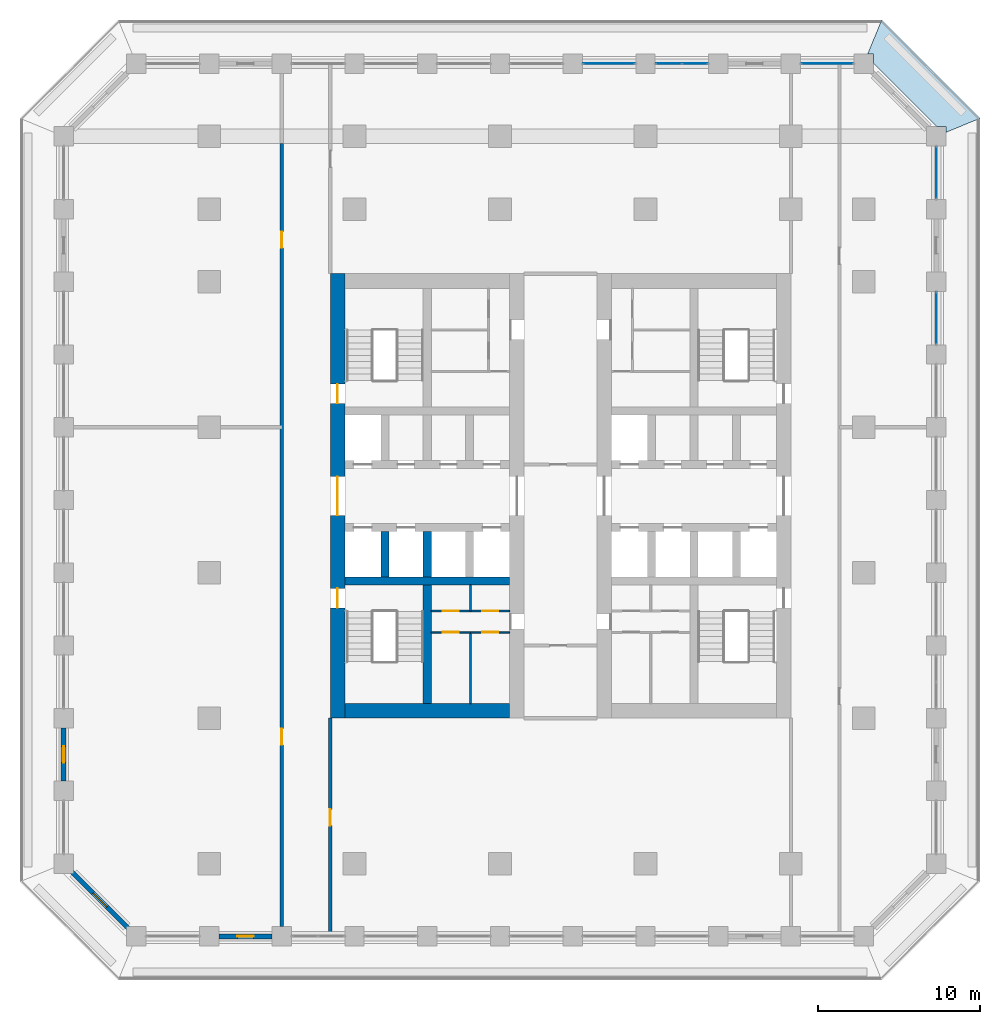
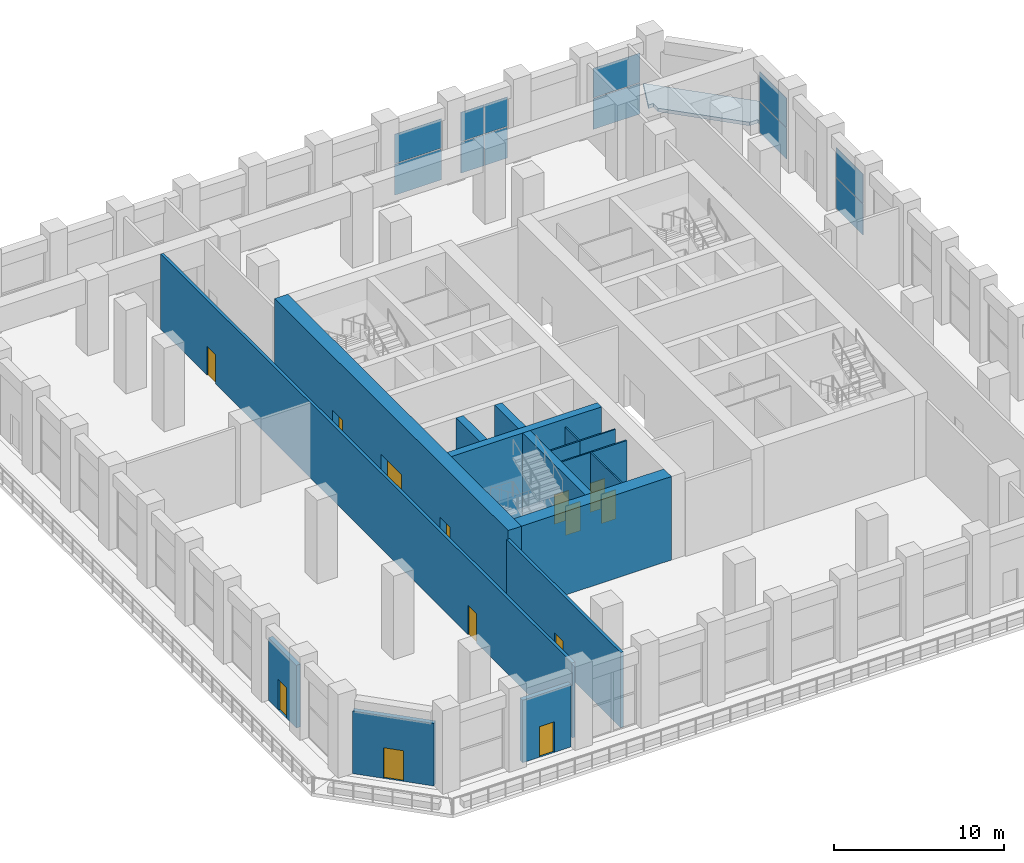
# One storey, part 12 of 24: 17 walls, 13 doors, 12 plates, 1 slab, 13 openings, 5 elements without a shape of their own.
"""IFC4 building model written with IfcOpenShell, lengths in metres."""

from ifc_helpers import new_model, si_unit, direction, frame, frame_2d, origin, origin_2d, place, context, subcontext, project, spatial, polyline, rectangle, outline, extrude, material, layer, layer_set, type_object, element, fill, aggregate, save


model = new_model("IFC4")

# Units and contexts
model_context = context("Model", 3, precision=1e-05, world=origin(), true_north=direction((0.0, 1.0)))
body_context = subcontext(model_context, "Body", "Model", "MODEL_VIEW")
ifc_project = project(units=[si_unit("LENGTHUNIT", "METRE"), si_unit("AREAUNIT", "SQUARE_METRE"), si_unit("VOLUMEUNIT", "CUBIC_METRE"), si_unit("PLANEANGLEUNIT", "RADIAN"), si_unit("MASSUNIT", "GRAM", prefix="KILO")], contexts=[model_context])

# Site, building, storey
site_placement = place(None, origin())
site = spatial("IfcSite", under=ifc_project, at=site_placement, CompositionType="ELEMENT")
building_placement = place(site_placement, origin())
building = spatial("IfcBuilding", under=site, at=building_placement, Name="Corbel Stack Research Tower", CompositionType="ELEMENT")
storey_placement = place(building_placement, frame((0.0, 0.0, 145.39990234375)))
storey = spatial("IfcBuildingStorey", under=building, at=storey_placement, Name="L33", CompositionType="ELEMENT", Elevation=145.39990234375)

# Curtain wall, plates
ifc_material_1 = material(Name="Aluminium frame, clear glass", Category="aluminium")
curtain_wall_type = type_object("IfcCurtainWallType", Name="Amenity floor curtain wall CW2", PredefinedType="NOTDEFINED", material=ifc_material_1)
curtain_wall_1_placement = place(storey_placement, origin())
curtain_wall_1 = element("IfcCurtainWall", 1, at=curtain_wall_1_placement, inside=storey, type_object=curtain_wall_type, Name="Curtain wall CW2 L33 E08", PredefinedType="NOTDEFINED")
ifc_material_2 = material(Name="Clear glass", Category="glass")
ifc_layer_1 = layer(ifc_material_2, 0.028076171875)
ifc_layer_set_1 = layer_set([ifc_layer_1], Name="Clear glass")
plate_type = type_object("IfcPlateType", Name="Clear glazing 28", PredefinedType="CURTAIN_PANEL", material=ifc_layer_set_1)
plate_1_placement = place(storey_placement, frame((27.0, 15.75, 0.06005859375), z_axis=(0.0, 0.0, 1.0), x_axis=(0.0, 1.0, 0.0)))
plate_1 = element("IfcPlate", 2, at=plate_1_placement, type_object=plate_type, Name="CW2 L33 E08 panel 1.1", PredefinedType="CURTAIN_PANEL", context=body_context, shape_type="SweptSolid", body=[
    extrude(rectangle(XDim=3.179931640625, YDim=0.028076171875, at=origin_2d()), origin(), (0.0, 0.0, 1.0), 2.2099609375),
])
plate_2_placement = place(storey_placement, frame((27.0, 15.75, 2.330078125), z_axis=(0.0, 0.0, 1.0), x_axis=(0.0, 1.0, 0.0)))
plate_2 = element("IfcPlate", 3, at=plate_2_placement, type_object=plate_type, Name="CW2 L33 E08 panel 1.2", PredefinedType="CURTAIN_PANEL", context=body_context, shape_type="SweptSolid", body=[
    extrude(rectangle(XDim=3.179931640625, YDim=0.028076171875, at=origin_2d()), origin(), (0.0, 0.0, 1.0), 2.110107421875),
])
aggregate(curtain_wall_1, [plate_1, plate_2])

curtain_wall_2_placement = place(storey_placement, origin())
curtain_wall_2 = element("IfcCurtainWall", 4, at=curtain_wall_2_placement, inside=storey, type_object=curtain_wall_type, Name="Curtain wall CW2 L33 E10", PredefinedType="NOTDEFINED")
plate_3_placement = place(storey_placement, frame((27.0, 24.75, 0.06005859375), z_axis=(0.0, 0.0, 1.0), x_axis=(0.0, 1.0, 0.0)))
plate_3 = element("IfcPlate", 5, at=plate_3_placement, type_object=plate_type, Name="CW2 L33 E10 panel 1.1", PredefinedType="CURTAIN_PANEL", context=body_context, shape_type="SweptSolid", body=[
    extrude(rectangle(XDim=3.179931640625, YDim=0.028076171875, at=origin_2d()), origin(), (0.0, 0.0, 1.0), 2.2099609375),
])
plate_4_placement = place(storey_placement, frame((27.0, 24.75, 2.330078125), z_axis=(0.0, 0.0, 1.0), x_axis=(0.0, 1.0, 0.0)))
plate_4 = element("IfcPlate", 6, at=plate_4_placement, type_object=plate_type, Name="CW2 L33 E10 panel 1.2", PredefinedType="CURTAIN_PANEL", context=body_context, shape_type="SweptSolid", body=[
    extrude(rectangle(XDim=3.179931640625, YDim=0.028076171875, at=origin_2d()), origin(), (0.0, 0.0, 1.0), 2.110107421875),
])
aggregate(curtain_wall_2, [plate_3, plate_4])

curtain_wall_3_placement = place(storey_placement, origin())
curtain_wall_3 = element("IfcCurtainWall", 7, at=curtain_wall_3_placement, inside=storey, type_object=curtain_wall_type, Name="Curtain wall CW2 L33 N01", PredefinedType="NOTDEFINED")
plate_5_placement = place(storey_placement, frame((20.25, 31.5, 0.06005859375), z_axis=(0.0, 0.0, 1.0), x_axis=(-1.0, 0.0, 0.0)))
plate_5 = element("IfcPlate", 8, at=plate_5_placement, type_object=plate_type, Name="CW2 L33 N01 panel 1.1", PredefinedType="CURTAIN_PANEL", context=body_context, shape_type="SweptSolid", body=[
    extrude(rectangle(XDim=3.179931640625, YDim=0.028076171875, at=origin_2d()), origin(), (0.0, 0.0, 1.0), 2.2099609375),
])
plate_6_placement = place(storey_placement, frame((20.25, 31.5, 2.330078125), z_axis=(0.0, 0.0, 1.0), x_axis=(-1.0, 0.0, 0.0)))
plate_6 = element("IfcPlate", 9, at=plate_6_placement, type_object=plate_type, Name="CW2 L33 N01 panel 1.2", PredefinedType="CURTAIN_PANEL", context=body_context, shape_type="SweptSolid", body=[
    extrude(rectangle(XDim=3.179931640625, YDim=0.028076171875, at=origin_2d()), origin(), (0.0, 0.0, 1.0), 2.110107421875),
])
aggregate(curtain_wall_3, [plate_5, plate_6])

curtain_wall_4_placement = place(storey_placement, origin())
curtain_wall_4 = element("IfcCurtainWall", 10, at=curtain_wall_4_placement, inside=storey, type_object=curtain_wall_type, Name="Curtain wall CW2 L33 N03", PredefinedType="NOTDEFINED")
plate_7_placement = place(storey_placement, frame((12.06005859375, 31.5, 0.06005859375), z_axis=(0.0, 0.0, 1.0), x_axis=(-1.0, 0.0, 0.0)))
plate_7 = element("IfcPlate", 11, at=plate_7_placement, type_object=plate_type, Name="CW2 L33 N03 panel 1.1", PredefinedType="CURTAIN_PANEL", context=body_context, shape_type="SweptSolid", body=[
    extrude(rectangle(XDim=1.56005859375, YDim=0.028076171875, at=origin_2d()), origin(), (0.0, 0.0, 1.0), 2.2099609375),
])
plate_8_placement = place(storey_placement, frame((12.06005859375, 31.5, 2.330078125), z_axis=(0.0, 0.0, 1.0), x_axis=(-1.0, 0.0, 0.0)))
plate_8 = element("IfcPlate", 12, at=plate_8_placement, type_object=plate_type, Name="CW2 L33 N03 panel 1.2", PredefinedType="CURTAIN_PANEL", context=body_context, shape_type="SweptSolid", body=[
    extrude(rectangle(XDim=1.56005859375, YDim=0.028076171875, at=origin_2d()), origin(), (0.0, 0.0, 1.0), 2.110107421875),
])
plate_9_placement = place(storey_placement, frame((10.43994140625, 31.5, 0.06005859375), z_axis=(0.0, 0.0, 1.0), x_axis=(-1.0, 0.0, 0.0)))
plate_9 = element("IfcPlate", 13, at=plate_9_placement, type_object=plate_type, Name="CW2 L33 N03 panel 2.1", PredefinedType="CURTAIN_PANEL", context=body_context, shape_type="SweptSolid", body=[
    extrude(rectangle(XDim=1.56005859375, YDim=0.028076171875, at=origin_2d()), origin(), (0.0, 0.0, 1.0), 2.2099609375),
])
plate_10_placement = place(storey_placement, frame((10.43994140625, 31.5, 2.330078125), z_axis=(0.0, 0.0, 1.0), x_axis=(-1.0, 0.0, 0.0)))
plate_10 = element("IfcPlate", 14, at=plate_10_placement, type_object=plate_type, Name="CW2 L33 N03 panel 2.2", PredefinedType="CURTAIN_PANEL", context=body_context, shape_type="SweptSolid", body=[
    extrude(rectangle(XDim=1.56005859375, YDim=0.028076171875, at=origin_2d()), origin(), (0.0, 0.0, 1.0), 2.110107421875),
])
aggregate(curtain_wall_4, [plate_7, plate_8, plate_9, plate_10])

curtain_wall_5_placement = place(storey_placement, origin())
curtain_wall_5 = element("IfcCurtainWall", 15, at=curtain_wall_5_placement, inside=storey, type_object=curtain_wall_type, Name="Curtain wall CW2 L33 N04", PredefinedType="NOTDEFINED")
plate_11_placement = place(storey_placement, frame((6.75, 31.5, 0.06005859375), z_axis=(0.0, 0.0, 1.0), x_axis=(-1.0, 0.0, 0.0)))
plate_11 = element("IfcPlate", 16, at=plate_11_placement, type_object=plate_type, Name="CW2 L33 N04 panel 1.1", PredefinedType="CURTAIN_PANEL", context=body_context, shape_type="SweptSolid", body=[
    extrude(rectangle(XDim=3.179931640625, YDim=0.028076171875, at=origin_2d()), origin(), (0.0, 0.0, 1.0), 2.2099609375),
])
plate_12_placement = place(storey_placement, frame((6.75, 31.5, 2.330078125), z_axis=(0.0, 0.0, 1.0), x_axis=(-1.0, 0.0, 0.0)))
plate_12 = element("IfcPlate", 17, at=plate_12_placement, type_object=plate_type, Name="CW2 L33 N04 panel 1.2", PredefinedType="CURTAIN_PANEL", context=body_context, shape_type="SweptSolid", body=[
    extrude(rectangle(XDim=3.179931640625, YDim=0.028076171875, at=origin_2d()), origin(), (0.0, 0.0, 1.0), 2.110107421875),
])
aggregate(curtain_wall_5, [plate_11, plate_12])

# Slab
ifc_material_3 = material(Name="Concrete C45/55", Category="concrete")
ifc_layer_2 = layer(ifc_material_3, 0.25)
ifc_layer_set_2 = layer_set([ifc_layer_2], Name="Concrete C45/55")
slab_type = type_object("IfcSlabType", Name="PT balcony slab 250 C45/55", PredefinedType="FLOOR", material=ifc_layer_set_2)
slab_placement = place(storey_placement, frame((0.0, 0.0, -0.25)))
element("IfcSlab", 18, at=slab_placement, inside=storey, type_object=slab_type, Name="Loggia slab L33 NE", PredefinedType="FLOOR", context=body_context, shape_type="SweptSolid", body=[
    extrude(outline(polyline([(22.74853515625, 32.10009765625), (23.10009765625, 32.10009765625), (23.10009765625, 31.536376953125), (27.036376953125, 27.60009765625), (27.60009765625, 27.60009765625), (27.60009765625, 27.24853515625), (29.699951171875, 28.118408203125), (23.618408203125, 34.199951171875), (22.74853515625, 32.10009765625)])), origin(), (0.0, 0.0, 1.0), 0.25),
])

# Walls
ifc_material_4 = material(Name="Concrete C70/85", Category="concrete")
ifc_layer_3 = layer(ifc_material_4, 0.5)
ifc_layer_set_3 = layer_set([ifc_layer_3], Name="Concrete C70/85")
wall_type_1 = type_object("IfcWallType", Name="CW-500-70", PredefinedType="SHEAR", material=ifc_layer_set_3)
wall_1_placement = place(storey_placement, frame((-9.60009765625, -0.5, 0.0), z_axis=(0.0, 0.0, 1.0), x_axis=(1.0, 0.0, 0.0)))
element("IfcWall", 19, at=wall_1_placement, inside=storey, type_object=wall_type_1, Name="West core wall, south row back L33", PredefinedType="SHEAR", context=body_context, shape_type="SweptSolid", body=[
    extrude(rectangle(XDim=10.2001953125, YDim=0.5, at=frame_2d((5.10009765625, 0.0))), origin(), (0.0, 0.0, 1.0), 6.0),
])
for number, where, z_axis, x_axis, name in (
    (20, (-7.125, -0.25, 0.0), (0.0, 0.0, 1.0), (0.0, 1.0, 0.0), "West core wall, south shaft 1 L33"),
    (21, (-4.5, -0.25, 0.0), (0.0, 0.0, 1.0), (0.0, 1.0, 0.0), "West core wall, south shaft 2 L33"),
):
    element("IfcWall", number, at=place(storey_placement, frame(where, z_axis=z_axis, x_axis=x_axis)), inside=storey, type_object=wall_type_1, Name=name, PredefinedType="SHEAR", context=body_context, shape_type="SweptSolid", body=[
        extrude(rectangle(XDim=2.800048828125, YDim=0.5, at=frame_2d((1.39990234375, 0.0))), origin(), (0.0, 0.0, 1.0), 6.0),
    ])
wall_2_placement = place(storey_placement, frame((-4.5, -8.10009765625, 0.0), z_axis=(0.0, 0.0, 1.0), x_axis=(0.0, 1.0, 0.0)))
element("IfcWall", 22, at=wall_2_placement, inside=storey, type_object=wall_type_1, Name="West core wall, south stair and WC L33", PredefinedType="SHEAR", context=body_context, shape_type="SweptSolid", body=[
    extrude(rectangle(XDim=7.35009765625, YDim=0.5, at=frame_2d((3.675048828125, 0.0))), origin(), (0.0, 0.0, 1.0), 6.0),
])

# Wall, openings, doors
ifc_material_5 = material(Name="Concrete C70/85", Category="concrete")
ifc_layer_4 = layer(ifc_material_5, 0.89990234375)
ifc_layer_set_4 = layer_set([ifc_layer_4], Name="Concrete C70/85")
wall_type_2 = type_object("IfcWallType", Name="CW-900-70", PredefinedType="SHEAR", material=ifc_layer_set_4)
wall_3_placement = place(storey_placement, frame((-10.050048828125, -9.0, 0.0), z_axis=(0.0, 0.0, 1.0), x_axis=(0.0, 1.0, 0.0)))
wall_3 = element("IfcWall", 23, at=wall_3_placement, inside=storey, type_object=wall_type_2, Name="West core wall, west face L33", PredefinedType="SHEAR", context=body_context, shape_type="SweptSolid", body=[
    extrude(rectangle(XDim=27.5, YDim=0.89990234375, at=frame_2d((13.75, 0.0))), origin(), (0.0, 0.0, 1.0), 6.0),
])
opening_1_placement = place(wall_3_placement, frame((12.550048828125, 0.0, 0.0)))
opening_1 = element("IfcOpeningElement", 24, at=opening_1_placement, cuts=wall_3, Name="Opening CD-W-W", PredefinedType="OPENING", context=body_context, shape_type="SweptSolid", body=[
    extrude(rectangle(XDim=2.39990234375, YDim=2.39990234375, at=frame_2d((1.199951171875, 1.199951171875))), frame((0.0, 0.4599609375, 0.0), z_axis=(0.0, -1.0, 0.0), x_axis=(1.0, 0.0, 0.0)), (0.0, 0.0, 1.0), 0.919921875),
])
opening_2_placement = place(wall_3_placement, frame((6.824951171875, 0.0, 0.0)))
opening_2 = element("IfcOpeningElement", 25, at=opening_2_placement, cuts=wall_3, Name="Opening SD-ST-W1", PredefinedType="OPENING", context=body_context, shape_type="SweptSolid", body=[
    extrude(rectangle(XDim=1.199951171875, YDim=2.10009765625, at=frame_2d((0.60009765625, 1.050048828125))), frame((0.0, 0.4599609375, 0.0), z_axis=(0.0, -1.0, 0.0), x_axis=(1.0, 0.0, 0.0)), (0.0, 0.0, 1.0), 0.919921875),
])
opening_3_placement = place(wall_3_placement, frame((19.47509765625, 0.0, 0.0)))
opening_3 = element("IfcOpeningElement", 26, at=opening_3_placement, cuts=wall_3, Name="Opening SD-ST-W2", PredefinedType="OPENING", context=body_context, shape_type="SweptSolid", body=[
    extrude(rectangle(XDim=1.199951171875, YDim=2.10009765625, at=frame_2d((0.60009765625, 1.050048828125))), frame((0.0, 0.4599609375, 0.0), z_axis=(0.0, -1.0, 0.0), x_axis=(1.0, 0.0, 0.0)), (0.0, 0.0, 1.0), 0.919921875),
])
ifc_material_6 = material(Name="Painted steel fire door", Category="steel")
door_type_1 = type_object("IfcDoorType", Name="Lobby door pair 2400 x 2400 FD30S", OperationType="DOUBLE_DOOR_DOUBLE_SWING", PredefinedType="DOOR", material=ifc_material_6)
door_1_placement = place(opening_1_placement, origin())
door_1 = element("IfcDoor", 27, at=door_1_placement, inside=storey, type_object=door_type_1, Name="Lift lobby door W core W", OperationType="DOUBLE_DOOR_DOUBLE_SWING", OverallHeight=2.39990234375, OverallWidth=2.39990234375, PredefinedType="DOOR", context=body_context, shape_type="SweptSolid", body=[
    extrude(rectangle(XDim=2.39990234375, YDim=2.39990234375, at=frame_2d((1.199951171875, 1.199951171875))), frame((0.0, 0.02490234375, 0.0), z_axis=(0.0, -1.0, 0.0), x_axis=(1.0, 0.0, 0.0)), (0.0, 0.0, 1.0), 0.050048828125),
])
fill(opening_1, door_1)
ifc_material_7 = material(Name="Painted steel fire door", Category="steel")
door_type_2 = type_object("IfcDoorType", Name="Stair door 1200 x 2100 FD90 left hand", OperationType="SINGLE_SWING_LEFT", PredefinedType="DOOR", material=ifc_material_7)
door_2_placement = place(opening_2_placement, origin())
door_2 = element("IfcDoor", 28, at=door_2_placement, inside=storey, type_object=door_type_2, Name="Stair door ST-W1", OperationType="SINGLE_SWING_LEFT", OverallHeight=2.10009765625, OverallWidth=1.199951171875, PredefinedType="DOOR", context=body_context, shape_type="SweptSolid", body=[
    extrude(rectangle(XDim=1.199951171875, YDim=2.10009765625, at=frame_2d((0.60009765625, 1.050048828125))), frame((0.0, 0.02490234375, 0.0), z_axis=(0.0, -1.0, 0.0), x_axis=(1.0, 0.0, 0.0)), (0.0, 0.0, 1.0), 0.050048828125),
])
fill(opening_2, door_2)
door_3_placement = place(opening_3_placement, origin())
door_3 = element("IfcDoor", 29, at=door_3_placement, inside=storey, type_object=door_type_2, Name="Stair door ST-W2", OperationType="SINGLE_SWING_LEFT", OverallHeight=2.10009765625, OverallWidth=1.199951171875, PredefinedType="DOOR", context=body_context, shape_type="SweptSolid", body=[
    extrude(rectangle(XDim=1.199951171875, YDim=2.10009765625, at=frame_2d((0.60009765625, 1.050048828125))), frame((0.0, 0.02490234375, 0.0), z_axis=(0.0, -1.0, 0.0), x_axis=(1.0, 0.0, 0.0)), (0.0, 0.0, 1.0), 0.050048828125),
])
fill(opening_3, door_3)

# Wall
wall_4_placement = place(storey_placement, frame((-9.60009765625, -8.550048828125, 0.0), z_axis=(0.0, 0.0, 1.0), x_axis=(1.0, 0.0, 0.0)))
element("IfcWall", 30, at=wall_4_placement, inside=storey, type_object=wall_type_2, Name="West core wall, south end L33", PredefinedType="SHEAR", context=body_context, shape_type="SweptSolid", body=[
    extrude(rectangle(XDim=10.2001953125, YDim=0.89990234375, at=frame_2d((5.10009765625, 0.0))), origin(), (0.0, 0.0, 1.0), 6.0),
])

# Wall, opening, door
ifc_material_8 = material(Name="Gypsum board")
ifc_layer_5 = layer(ifc_material_8, 0.10009765625)
ifc_layer_set_5 = layer_set([ifc_layer_5], Name="Gypsum board")
wall_type_3 = type_object("IfcWallType", Name="Core partition 100", PredefinedType="PARTITIONING", material=ifc_layer_set_5)
wall_5_placement = place(storey_placement, frame((-1.824951171875, -3.68994140625, 0.0), z_axis=(0.0, 0.0, 1.0), x_axis=(1.0, 0.0, 0.0)))
wall_5 = element("IfcWall", 31, at=wall_5_placement, inside=storey, type_object=wall_type_3, Name="Core partition W", PredefinedType="PARTITIONING", context=body_context, shape_type="SweptSolid", body=[
    extrude(rectangle(XDim=2.425048828125, YDim=0.10009765625, at=frame_2d((1.21240234375, 0.0))), origin(), (0.0, 0.0, 1.0), 5.400146484375),
])
opening_4_placement = place(wall_5_placement, frame((0.71240234375, 0.0, 0.0)))
opening_4 = element("IfcOpeningElement", 32, at=opening_4_placement, cuts=wall_5, Name="Opening CR-W54-W2-1000", PredefinedType="OPENING", context=body_context, shape_type="SweptSolid", body=[
    extrude(rectangle(XDim=1.0, YDim=2.10009765625, at=frame_2d((0.5, 1.050048828125))), frame((0.0, 0.06005859375, 0.0), z_axis=(0.0, -1.0, 0.0), x_axis=(1.0, 0.0, 0.0)), (0.0, 0.0, 1.0), 0.1201171875),
])
ifc_material_9 = material(Name="Painted timber door", Category="wood")
door_type_3 = type_object("IfcDoorType", Name="WC door 1000 x 2100 right hand", OperationType="SINGLE_SWING_RIGHT", PredefinedType="DOOR", material=ifc_material_9)
door_4_placement = place(opening_4_placement, origin())
door_4 = element("IfcDoor", 33, at=door_4_placement, inside=storey, type_object=door_type_3, Name="Women's WC door W core", OperationType="SINGLE_SWING_RIGHT", OverallHeight=2.10009765625, OverallWidth=1.0, PredefinedType="DOOR", context=body_context, shape_type="SweptSolid", body=[
    extrude(rectangle(XDim=1.0, YDim=2.10009765625, at=frame_2d((0.5, 1.050048828125))), frame((0.0, 0.02490234375, 0.0), z_axis=(0.0, -1.0, 0.0), x_axis=(1.0, 0.0, 0.0)), (0.0, 0.0, 1.0), 0.050048828125),
])
fill(opening_4, door_4)

wall_6_placement = place(storey_placement, frame((-4.25, -3.68994140625, 0.0), z_axis=(0.0, 0.0, 1.0), x_axis=(1.0, 0.0, 0.0)))
wall_6 = element("IfcWall", 34, at=wall_6_placement, inside=storey, type_object=wall_type_3, Name="Core partition W", PredefinedType="PARTITIONING", context=body_context, shape_type="SweptSolid", body=[
    extrude(rectangle(XDim=2.425048828125, YDim=0.10009765625, at=frame_2d((1.21240234375, 0.0))), origin(), (0.0, 0.0, 1.0), 5.400146484375),
])
opening_5_placement = place(wall_6_placement, frame((0.71240234375, 0.0, 0.0)))
opening_5 = element("IfcOpeningElement", 35, at=opening_5_placement, cuts=wall_6, Name="Opening CR-W54-W3-1000", PredefinedType="OPENING", context=body_context, shape_type="SweptSolid", body=[
    extrude(rectangle(XDim=1.0, YDim=2.10009765625, at=frame_2d((0.5, 1.050048828125))), frame((0.0, 0.06005859375, 0.0), z_axis=(0.0, -1.0, 0.0), x_axis=(1.0, 0.0, 0.0)), (0.0, 0.0, 1.0), 0.1201171875),
])
ifc_material_10 = material(Name="Painted timber door", Category="wood")
door_type_4 = type_object("IfcDoorType", Name="WC door 1000 x 2100 left hand", OperationType="SINGLE_SWING_LEFT", PredefinedType="DOOR", material=ifc_material_10)
door_5_placement = place(opening_5_placement, origin())
door_5 = element("IfcDoor", 36, at=door_5_placement, inside=storey, type_object=door_type_4, Name="Men's WC door W core", OperationType="SINGLE_SWING_LEFT", OverallHeight=2.10009765625, OverallWidth=1.0, PredefinedType="DOOR", context=body_context, shape_type="SweptSolid", body=[
    extrude(rectangle(XDim=1.0, YDim=2.10009765625, at=frame_2d((0.5, 1.050048828125))), frame((0.0, 0.02490234375, 0.0), z_axis=(0.0, -1.0, 0.0), x_axis=(1.0, 0.0, 0.0)), (0.0, 0.0, 1.0), 0.050048828125),
])
fill(opening_5, door_5)

wall_7_placement = place(storey_placement, frame((-1.824951171875, -2.366943359375, 0.0), z_axis=(0.0, 0.0, 1.0), x_axis=(1.0, 0.0, 0.0)))
wall_7 = element("IfcWall", 37, at=wall_7_placement, inside=storey, type_object=wall_type_3, Name="Core partition W", PredefinedType="PARTITIONING", context=body_context, shape_type="SweptSolid", body=[
    extrude(rectangle(XDim=2.425048828125, YDim=0.10009765625, at=frame_2d((1.21240234375, 0.0))), origin(), (0.0, 0.0, 1.0), 5.400146484375),
])
opening_6_placement = place(wall_7_placement, frame((0.71240234375, 0.0, 0.0)))
opening_6 = element("IfcOpeningElement", 38, at=opening_6_placement, cuts=wall_7, Name="Opening CR-W54-W4-1000", PredefinedType="OPENING", context=body_context, shape_type="SweptSolid", body=[
    extrude(rectangle(XDim=1.0, YDim=2.10009765625, at=frame_2d((0.5, 1.050048828125))), frame((0.0, 0.06005859375, 0.0), z_axis=(0.0, -1.0, 0.0), x_axis=(1.0, 0.0, 0.0)), (0.0, 0.0, 1.0), 0.1201171875),
])
door_6_placement = place(opening_6_placement, origin())
door_6 = element("IfcDoor", 39, at=door_6_placement, inside=storey, type_object=door_type_3, Name="Accessible WC door W core", OperationType="SINGLE_SWING_RIGHT", OverallHeight=2.10009765625, OverallWidth=1.0, PredefinedType="DOOR", context=body_context, shape_type="SweptSolid", body=[
    extrude(rectangle(XDim=1.0, YDim=2.10009765625, at=frame_2d((0.5, 1.050048828125))), frame((0.0, 0.02490234375, 0.0), z_axis=(0.0, -1.0, 0.0), x_axis=(1.0, 0.0, 0.0)), (0.0, 0.0, 1.0), 0.050048828125),
])
fill(opening_6, door_6)

wall_8_placement = place(storey_placement, frame((-4.25, -2.366943359375, 0.0), z_axis=(0.0, 0.0, 1.0), x_axis=(1.0, 0.0, 0.0)))
wall_8 = element("IfcWall", 40, at=wall_8_placement, inside=storey, type_object=wall_type_3, Name="Core partition W", PredefinedType="PARTITIONING", context=body_context, shape_type="SweptSolid", body=[
    extrude(rectangle(XDim=2.425048828125, YDim=0.10009765625, at=frame_2d((1.21240234375, 0.0))), origin(), (0.0, 0.0, 1.0), 5.400146484375),
])
opening_7_placement = place(wall_8_placement, frame((0.71240234375, 0.0, 0.0)))
opening_7 = element("IfcOpeningElement", 41, at=opening_7_placement, cuts=wall_8, Name="Opening CR-W54-W5-1000", PredefinedType="OPENING", context=body_context, shape_type="SweptSolid", body=[
    extrude(rectangle(XDim=1.0, YDim=2.10009765625, at=frame_2d((0.5, 1.050048828125))), frame((0.0, 0.06005859375, 0.0), z_axis=(0.0, -1.0, 0.0), x_axis=(1.0, 0.0, 0.0)), (0.0, 0.0, 1.0), 0.1201171875),
])
door_7_placement = place(opening_7_placement, origin())
door_7 = element("IfcDoor", 42, at=door_7_placement, inside=storey, type_object=door_type_4, Name="Shower and changing room door W core", OperationType="SINGLE_SWING_LEFT", OverallHeight=2.10009765625, OverallWidth=1.0, PredefinedType="DOOR", context=body_context, shape_type="SweptSolid", body=[
    extrude(rectangle(XDim=1.0, YDim=2.10009765625, at=frame_2d((0.5, 1.050048828125))), frame((0.0, 0.02490234375, 0.0), z_axis=(0.0, -1.0, 0.0), x_axis=(1.0, 0.0, 0.0)), (0.0, 0.0, 1.0), 0.050048828125),
])
fill(opening_7, door_7)

# Walls
wall_9_placement = place(storey_placement, frame((-1.824951171875, -8.10009765625, 0.0), z_axis=(0.0, 0.0, 1.0), x_axis=(0.0, 1.0, 0.0)))
element("IfcWall", 43, at=wall_9_placement, inside=storey, type_object=wall_type_3, Name="Core partition W", PredefinedType="PARTITIONING", context=body_context, shape_type="SweptSolid", body=[
    extrude(rectangle(XDim=4.41015625, YDim=0.10009765625, at=frame_2d((2.205078125, 0.0))), origin(), (0.0, 0.0, 1.0), 5.400146484375),
])
wall_10_placement = place(storey_placement, frame((-1.824951171875, -2.366943359375, 0.0), z_axis=(0.0, 0.0, 1.0), x_axis=(0.0, 1.0, 0.0)))
element("IfcWall", 44, at=wall_10_placement, inside=storey, type_object=wall_type_3, Name="Core partition W", PredefinedType="PARTITIONING", context=body_context, shape_type="SweptSolid", body=[
    extrude(rectangle(XDim=1.616943359375, YDim=0.10009765625, at=frame_2d((0.80859375, 0.0))), origin(), (0.0, 0.0, 1.0), 5.400146484375),
])

# Wall, openings, doors
ifc_material_11 = material(Name="Fire-rated gypsum board partition on steel studs", Category="steel")
ifc_layer_6 = layer(ifc_material_11, 0.199951171875)
ifc_layer_set_6 = layer_set([ifc_layer_6], Name="Fire-rated gypsum board partition on steel studs")
wall_type_4 = type_object("IfcWallType", Name="Fire-rated partition 200 EI 60", PredefinedType="PARTITIONING", material=ifc_layer_set_6)
wall_11_placement = place(storey_placement, frame((-13.5, -21.89990234375, 0.0), z_axis=(0.0, 0.0, 1.0), x_axis=(0.0, 1.0, 0.0)))
wall_11 = element("IfcWall", 45, at=wall_11_placement, inside=storey, type_object=wall_type_4, Name="Partition L33-001", PredefinedType="PARTITIONING", context=body_context, shape_type="SweptSolid", body=[
    extrude(rectangle(XDim=48.449951171875, YDim=0.199951171875, at=frame_2d((24.22509765625, 0.0))), origin(), (0.0, 0.0, 1.0), 5.400146484375),
])
opening_8_placement = place(wall_11_placement, frame((11.25, 0.0, 0.0)))
opening_8 = element("IfcOpeningElement", 46, at=opening_8_placement, cuts=wall_11, Name="Opening B4AM-001", PredefinedType="OPENING", context=body_context, shape_type="SweptSolid", body=[
    extrude(rectangle(XDim=1.0, YDim=2.10009765625, at=frame_2d((0.5, 1.050048828125))), frame((0.0, 0.10986328125, 0.0), z_axis=(0.0, -1.0, 0.0), x_axis=(1.0, 0.0, 0.0)), (0.0, 0.0, 1.0), 0.219970703125),
])
opening_9_placement = place(wall_11_placement, frame((42.0, 0.0, 0.0)))
opening_9 = element("IfcOpeningElement", 47, at=opening_9_placement, cuts=wall_11, Name="Opening B4AM-002", PredefinedType="OPENING", context=body_context, shape_type="SweptSolid", body=[
    extrude(rectangle(XDim=1.0, YDim=2.10009765625, at=frame_2d((0.5, 1.050048828125))), frame((0.0, 0.10986328125, 0.0), z_axis=(0.0, -1.0, 0.0), x_axis=(1.0, 0.0, 0.0)), (0.0, 0.0, 1.0), 0.219970703125),
])
ifc_material_12 = material(Name="Painted steel fire door", Category="steel")
door_type_5 = type_object("IfcDoorType", Name="Fire door FD30S 1000 x 2100", OperationType="NOTDEFINED", PredefinedType="DOOR", material=ifc_material_12)
door_8_placement = place(opening_8_placement, origin())
door_8 = element("IfcDoor", 48, at=door_8_placement, inside=storey, type_object=door_type_5, Name="Door B4AM-001", OperationType="SINGLE_SWING_LEFT", OverallHeight=2.10009765625, OverallWidth=1.0, PredefinedType="DOOR", context=body_context, shape_type="SweptSolid", body=[
    extrude(rectangle(XDim=1.0, YDim=2.10009765625, at=frame_2d((0.5, 1.050048828125))), frame((0.0, 0.02490234375, 0.0), z_axis=(0.0, -1.0, 0.0), x_axis=(1.0, 0.0, 0.0)), (0.0, 0.0, 1.0), 0.050048828125),
])
fill(opening_8, door_8)
door_9_placement = place(opening_9_placement, origin())
door_9 = element("IfcDoor", 49, at=door_9_placement, inside=storey, type_object=door_type_5, Name="Door B4AM-002", OperationType="SINGLE_SWING_RIGHT", OverallHeight=2.10009765625, OverallWidth=1.0, PredefinedType="DOOR", context=body_context, shape_type="SweptSolid", body=[
    extrude(rectangle(XDim=1.0, YDim=2.10009765625, at=frame_2d((0.5, 1.050048828125))), frame((0.0, 0.02490234375, 0.0), z_axis=(0.0, -1.0, 0.0), x_axis=(1.0, 0.0, 0.0)), (0.0, 0.0, 1.0), 0.050048828125),
])
fill(opening_9, door_9)

# Wall, opening, door
wall_12_placement = place(storey_placement, frame((-10.5, -9.0, 0.0), z_axis=(0.0, 0.0, 1.0), x_axis=(0.0, -1.0, 0.0)))
wall_12 = element("IfcWall", 50, at=wall_12_placement, inside=storey, type_object=wall_type_4, Name="Partition L33-004", PredefinedType="PARTITIONING", context=body_context, shape_type="SweptSolid", body=[
    extrude(rectangle(XDim=13.419921875, YDim=0.199951171875, at=frame_2d((6.7099609375, 0.0))), origin(), (0.0, 0.0, 1.0), 5.400146484375),
])
opening_10_placement = place(wall_12_placement, frame((5.64990234375, 0.0, 0.0)))
opening_10 = element("IfcOpeningElement", 51, at=opening_10_placement, cuts=wall_12, Name="Opening B4AM-003", PredefinedType="OPENING", context=body_context, shape_type="SweptSolid", body=[
    extrude(rectangle(XDim=1.0, YDim=2.10009765625, at=frame_2d((0.5, 1.050048828125))), frame((0.0, 0.10986328125, 0.0), z_axis=(0.0, -1.0, 0.0), x_axis=(1.0, 0.0, 0.0)), (0.0, 0.0, 1.0), 0.219970703125),
])
door_10_placement = place(opening_10_placement, origin())
door_10 = element("IfcDoor", 52, at=door_10_placement, inside=storey, type_object=door_type_5, Name="Door B4AM-003", OperationType="SINGLE_SWING_LEFT", OverallHeight=2.10009765625, OverallWidth=1.0, PredefinedType="DOOR", context=body_context, shape_type="SweptSolid", body=[
    extrude(rectangle(XDim=1.0, YDim=2.10009765625, at=frame_2d((0.5, 1.050048828125))), frame((0.0, 0.02490234375, 0.0), z_axis=(0.0, -1.0, 0.0), x_axis=(1.0, 0.0, 0.0)), (0.0, 0.0, 1.0), 0.050048828125),
])
fill(opening_10, door_10)

ifc_material_13 = material(Name="Concrete C45/55", Category="concrete")
ifc_layer_7 = layer(ifc_material_13, 0.300048828125)
ifc_layer_set_7 = layer_set([ifc_layer_7], Name="Concrete C45/55")
wall_type_5 = type_object("IfcWallType", Name="Terracotta-faced concrete wall 300", PredefinedType="SOLIDWALL", material=ifc_layer_set_7)
wall_13_placement = place(storey_placement, frame((-14.10009765625, -22.5, 0.0), z_axis=(0.0, 0.0, 1.0), x_axis=(-1.0, 0.0, 0.0)))
wall_13 = element("IfcWall", 53, at=wall_13_placement, inside=storey, type_object=wall_type_5, Name="Facade wall L33 S02", PredefinedType="SOLIDWALL", context=body_context, shape_type="SweptSolid", body=[
    extrude(rectangle(XDim=3.2998046875, YDim=0.300048828125, at=frame_2d((1.64990234375, 0.0))), origin(), (0.0, 0.0, 1.0), 4.5),
])
opening_11_placement = place(wall_13_placement, frame((1.14990234375, 0.0, 0.0)))
opening_11 = element("IfcOpeningElement", 54, at=opening_11_placement, cuts=wall_13, Name="Opening L33-B01", PredefinedType="OPENING", context=body_context, shape_type="SweptSolid", body=[
    extrude(rectangle(XDim=1.0, YDim=2.199951171875, at=frame_2d((0.5, 1.10009765625))), frame((0.0, 0.159912109375, 0.0), z_axis=(0.0, -1.0, 0.0), x_axis=(1.0, 0.0, 0.0)), (0.0, 0.0, 1.0), 0.320068359375),
])
ifc_material_14 = material(Name="Aluminium frame, clear double glazing", Category="aluminium")
door_type_6 = type_object("IfcDoorType", Name="Balcony door BD1 1000 x 2200", OperationType="NOTDEFINED", PredefinedType="DOOR", material=ifc_material_14)
door_11_placement = place(opening_11_placement, origin())
door_11 = element("IfcDoor", 55, at=door_11_placement, inside=storey, type_object=door_type_6, Name="Balcony door L33-B01", OperationType="SINGLE_SWING_LEFT", OverallHeight=2.199951171875, OverallWidth=1.0, PredefinedType="DOOR", context=body_context, shape_type="SweptSolid", body=[
    extrude(rectangle(XDim=1.0, YDim=2.199951171875, at=frame_2d((0.5, 1.10009765625))), frame((0.0, 0.02490234375, 0.0), z_axis=(0.0, -1.0, 0.0), x_axis=(1.0, 0.0, 0.0)), (0.0, 0.0, 1.0), 0.050048828125),
])
fill(opening_11, door_11)

wall_14_placement = place(storey_placement, frame((-27.0, -12.89990234375, 0.0), z_axis=(0.0, 0.0, 1.0), x_axis=(0.0, 1.0, 0.0)))
wall_14 = element("IfcWall", 56, at=wall_14_placement, inside=storey, type_object=wall_type_5, Name="Facade wall L33 W09", PredefinedType="SOLIDWALL", context=body_context, shape_type="SweptSolid", body=[
    extrude(rectangle(XDim=3.2998046875, YDim=0.300048828125, at=frame_2d((1.64990234375, 0.0))), origin(), (0.0, 0.0, 1.0), 4.5),
])
opening_12_placement = place(wall_14_placement, frame((1.14990234375, 0.0, 0.0)))
opening_12 = element("IfcOpeningElement", 57, at=opening_12_placement, cuts=wall_14, Name="Opening L33-B11", PredefinedType="OPENING", context=body_context, shape_type="SweptSolid", body=[
    extrude(rectangle(XDim=1.0, YDim=2.199951171875, at=frame_2d((0.5, 1.10009765625))), frame((0.0, 0.159912109375, 0.0), z_axis=(0.0, -1.0, 0.0), x_axis=(1.0, 0.0, 0.0)), (0.0, 0.0, 1.0), 0.320068359375),
])
door_12_placement = place(opening_12_placement, origin())
door_12 = element("IfcDoor", 58, at=door_12_placement, inside=storey, type_object=door_type_6, Name="Balcony door L33-B11", OperationType="SINGLE_SWING_RIGHT", OverallHeight=2.199951171875, OverallWidth=1.0, PredefinedType="DOOR", context=body_context, shape_type="SweptSolid", body=[
    extrude(rectangle(XDim=1.0, YDim=2.199951171875, at=frame_2d((0.5, 1.10009765625))), frame((0.0, 0.02490234375, 0.0), z_axis=(0.0, -1.0, 0.0), x_axis=(1.0, 0.0, 0.0)), (0.0, 0.0, 1.0), 0.050048828125),
])
fill(opening_12, door_12)

wall_15_placement = place(storey_placement, frame((-22.993896484375, -22.006103515625, 0.0), z_axis=(0.0, 0.0, 1.0), x_axis=(-0.707106781187, 0.707106781187, 0.0)))
wall_15 = element("IfcWall", 59, at=wall_15_placement, inside=storey, type_object=wall_type_5, Name="Facade wall L33 SW01", PredefinedType="SOLIDWALL", context=body_context, shape_type="SweptSolid", body=[
    extrude(rectangle(XDim=4.967041015625, YDim=0.300048828125, at=frame_2d((2.4833984375, 0.0))), origin(), (0.0, 0.0, 1.0), 4.5),
])
opening_13_placement = place(wall_15_placement, frame((1.883544921875, 0.0, 0.0)))
opening_13 = element("IfcOpeningElement", 60, at=opening_13_placement, cuts=wall_15, Name="Opening L33-B12", PredefinedType="OPENING", context=body_context, shape_type="SweptSolid", body=[
    extrude(rectangle(XDim=1.199951171875, YDim=2.199951171875, at=frame_2d((0.60009765625, 1.10009765625))), frame((0.0, 0.159912109375, 0.0), z_axis=(0.0, -1.0, 0.0), x_axis=(1.0, 0.0, 0.0)), (0.0, 0.0, 1.0), 0.320068359375),
])
ifc_material_15 = material(Name="Aluminium frame, clear double glazing", Category="aluminium")
door_type_7 = type_object("IfcDoorType", Name="Balcony door BD2 1200 x 2200", OperationType="NOTDEFINED", PredefinedType="DOOR", material=ifc_material_15)
door_13_placement = place(opening_13_placement, origin())
door_13 = element("IfcDoor", 61, at=door_13_placement, inside=storey, type_object=door_type_7, Name="Balcony door L33-B12", OperationType="SINGLE_SWING_RIGHT", OverallHeight=2.199951171875, OverallWidth=1.199951171875, PredefinedType="DOOR", context=body_context, shape_type="SweptSolid", body=[
    extrude(rectangle(XDim=1.199951171875, YDim=2.199951171875, at=frame_2d((0.60009765625, 1.10009765625))), frame((0.0, 0.02490234375, 0.0), z_axis=(0.0, -1.0, 0.0), x_axis=(1.0, 0.0, 0.0)), (0.0, 0.0, 1.0), 0.050048828125),
])
fill(opening_13, door_13)

save(model, "model.ifc")
